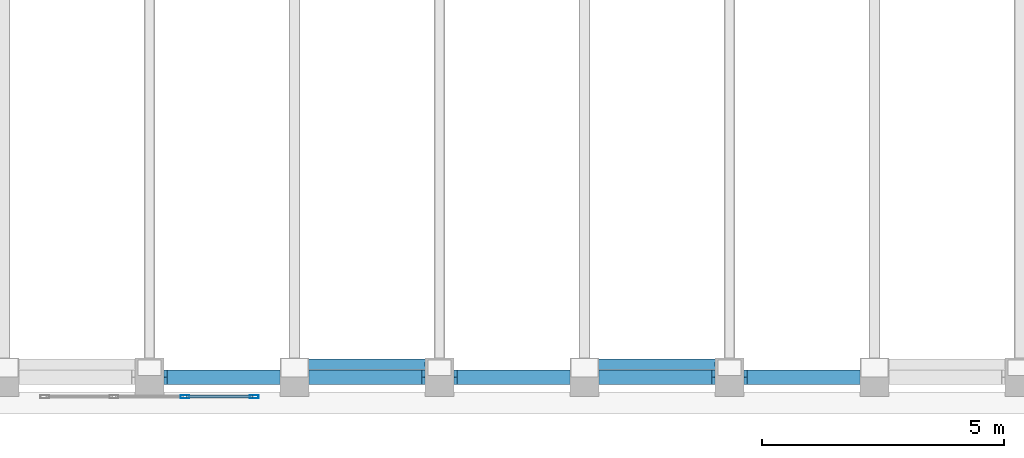
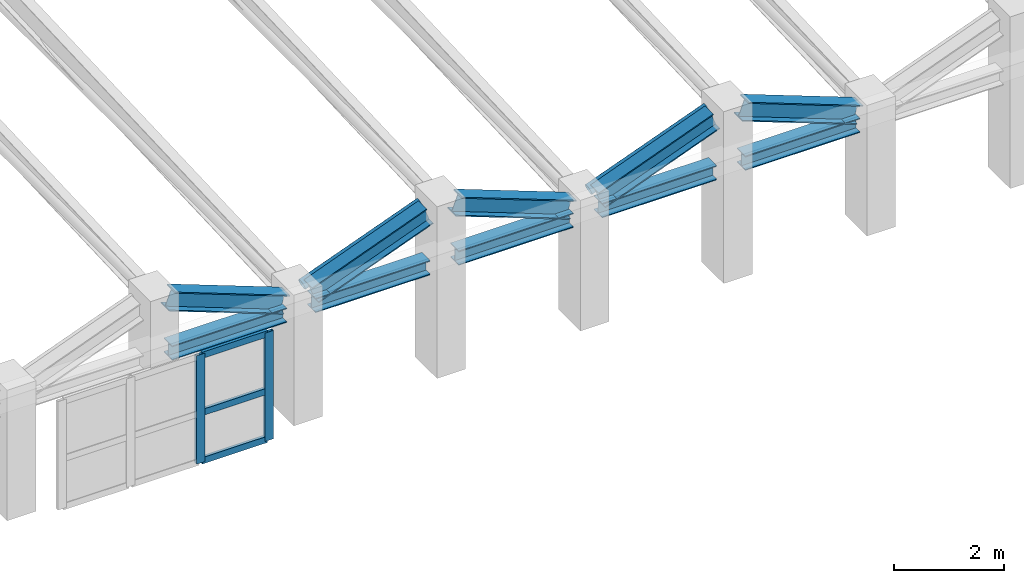
# One storey, part 25 of 128: 10 beams, 7 members, 1 element without a shape of its own.
"""IFC4 building model written with IfcOpenShell, lengths in metres."""

import ifcopenshell
import ifcopenshell.guid

model = None  # the IFC model being written
_history = None  # IfcOwnerHistory: only IFC2X3 demands one
_inside = {}  # id of a spatial element -> (the spatial element, [elements in it])
_under = {}  # id of a project, library or spatial element -> (it, [spatial elements below it])
_declared = {}  # id of a project -> (the project, [libraries it declares])
_typed = {}  # id of a type object -> (the type object, [elements of that type])
_made_of = {}  # id of a material, layer set ... -> (it, [elements and type objects made of it])


def new_model(schema):
    """Start an empty IFC model of exactly this schema.

    Asked for "IFC4X3", IfcOpenShell would pick the latest addendum, in which some entities
    have other attributes; the version numbers below select the first issue.
    IFC2X3 requires an IfcOwnerHistory on every rooted entity: one is made here for all.
    """
    global model, _history
    if schema == "IFC4X3":
        model = ifcopenshell.file(schema_version=(4, 3, 0, 0))
    else:
        model = ifcopenshell.file(schema=schema)
    _inside.clear()
    _under.clear()
    _declared.clear()
    _typed.clear()
    _made_of.clear()
    _history = None
    if model.schema == "IFC2X3":
        org = make("IfcOrganization", Name="unknown")
        user = make(
            "IfcPersonAndOrganization",
            ThePerson=make("IfcPerson", FamilyName="unknown"),
            TheOrganization=org,
        )
        app = make(
            "IfcApplication",
            ApplicationDeveloper=org,
            Version="unknown",
            ApplicationFullName="unknown",
            ApplicationIdentifier="unknown",
        )
        _history = make(
            "IfcOwnerHistory",
            OwningUser=user,
            OwningApplication=app,
            ChangeAction="ADDED",
            CreationDate=0,
        )
    return model


def make(cls, **values):
    """One entity of the class cls with the attributes given. An attribute that is None is left unset."""
    return model.create_entity(
        cls, **{name: value for name, value in values.items() if value is not None}
    )


def rooted(cls, **values):
    """An entity with a GlobalId (a new one), such as an element, a storey or a relation."""
    return make(cls, GlobalId=ifcopenshell.guid.new(), OwnerHistory=_history, **values)


def si_unit(unit_type, name, prefix=None):
    """IfcSIUnit, for example si_unit("LENGTHUNIT", "METRE", prefix="MILLI")."""
    return make("IfcSIUnit", UnitType=unit_type, Prefix=prefix, Name=name)


def assignment(units):
    """IfcUnitAssignment: the units of a project."""
    return None if units is None else make("IfcUnitAssignment", Units=units)


def point(xyz):
    """IfcCartesianPoint."""
    return None if xyz is None else make("IfcCartesianPoint", Coordinates=xyz)


def direction(xyz):
    """IfcDirection."""
    return None if xyz is None else make("IfcDirection", DirectionRatios=xyz)


def frame(location, z_axis=None, x_axis=None):
    """IfcAxis2Placement3D, a coordinate frame: its origin and axes. An axis left out is left unset."""
    return make(
        "IfcAxis2Placement3D",
        Location=point(location),
        Axis=direction(z_axis),
        RefDirection=direction(x_axis),
    )


def frame_2d(location, x_axis=None):
    """IfcAxis2Placement2D, a coordinate frame in the plane: its origin and x axis."""
    return make(
        "IfcAxis2Placement2D", Location=point(location), RefDirection=direction(x_axis)
    )


def origin():
    """The frame at (0, 0, 0) with its axes left unset."""
    return frame((0.0, 0.0, 0.0))


def origin_2d():
    """The frame at (0, 0) in the plane with its x axis left unset."""
    return frame_2d((0.0, 0.0))


def place(relative_to, where):
    """IfcLocalPlacement: puts the frame where relative to a parent placement (None: the world)."""
    return make(
        "IfcLocalPlacement", PlacementRelTo=relative_to, RelativePlacement=where
    )


def context(
    kind, dimensions, precision=None, world=None, true_north=None, identifier=None
):
    """IfcGeometricRepresentationContext, for example the 3D "Model" context."""
    return make(
        "IfcGeometricRepresentationContext",
        ContextIdentifier=identifier,
        ContextType=kind,
        CoordinateSpaceDimension=dimensions,
        Precision=precision,
        WorldCoordinateSystem=world,
        TrueNorth=true_north,
    )


def subcontext(parent, identifier, kind, view, scale=None):
    """IfcGeometricRepresentationSubContext, for example "Body" below "Model"."""
    return make(
        "IfcGeometricRepresentationSubContext",
        ContextIdentifier=identifier,
        ContextType=kind,
        ParentContext=parent,
        TargetScale=scale,
        TargetView=view,
    )


def project(units=None, contexts=None):
    """IfcProject with its units and contexts."""
    return rooted(
        "IfcProject",
        Name="project",
        RepresentationContexts=contexts,
        UnitsInContext=assignment(units),
    )


def spatial(cls, under=None, at=None, **own):
    """A site, building, storey or space (cls), placed at a placement, below another one or the project."""
    s = rooted(cls, ObjectPlacement=at, **own)
    if under is not None:
        _under.setdefault(under.id(), (under, []))[1].append(s)
    return s


def profile(cls, at=None, kind="AREA", **sizes):
    """A parametric profile (cls). Its sizes go by their IFC names, for example OverallWidth=200.0."""
    return make(cls, ProfileType=kind, Position=at, **sizes)


def hollow_rectangle(**sizes):
    """IfcRectangleHollowProfileDef."""
    return profile("IfcRectangleHollowProfileDef", **sizes)


def hollow_circle(**sizes):
    """IfcCircleHollowProfileDef."""
    return profile("IfcCircleHollowProfileDef", **sizes)


def i_section(**sizes):
    """IfcIShapeProfileDef."""
    return profile("IfcIShapeProfileDef", **sizes)


def extrude(swept, where, along, depth):
    """IfcExtrudedAreaSolid: the profile swept, set in the frame where, extruded along a direction by depth."""
    return make(
        "IfcExtrudedAreaSolid",
        SweptArea=swept,
        Position=where,
        ExtrudedDirection=direction(along),
        Depth=depth,
    )


def shape(context_of_items, identifier, shape_type, items):
    """IfcShapeRepresentation: the items that make up one representation, for example the "Body"."""
    return make(
        "IfcShapeRepresentation",
        ContextOfItems=context_of_items,
        RepresentationIdentifier=identifier,
        RepresentationType=shape_type,
        Items=items,
    )


def material(Name=None, Category=None):
    """IfcMaterial."""
    return make("IfcMaterial", Name=Name, Category=Category)


def layer(
    of_material, thickness, ventilated=None, Name=None, Category=None, Priority=None
):
    """IfcMaterialLayer: one layer of a wall or slab, of a material (None: an air gap)."""
    return make(
        "IfcMaterialLayer",
        Material=of_material,
        LayerThickness=thickness,
        IsVentilated=ventilated,
        Name=Name,
        Category=Category,
        Priority=Priority,
    )


def layer_set(layers, Name=None):
    """IfcMaterialLayerSet."""
    return make("IfcMaterialLayerSet", MaterialLayers=layers, LayerSetName=Name)


def material_profile(
    of_material, cross_section, Name=None, Category=None, Priority=None
):
    """IfcMaterialProfile: a cross section and its material."""
    return make(
        "IfcMaterialProfile",
        Name=Name,
        Material=of_material,
        Profile=cross_section,
        Priority=Priority,
        Category=Category,
    )


def profile_set(profiles, Name=None, composite=None):
    """IfcMaterialProfileSet."""
    return make(
        "IfcMaterialProfileSet",
        Name=Name,
        MaterialProfiles=profiles,
        CompositeProfile=composite,
    )


def made_of(thing, what):
    """Note that an element or type object is made of a material, layer set ...; save() writes the relation."""
    if what is not None:
        _made_of.setdefault(what.id(), (what, []))[1].append(thing)
    return thing


def type_object(cls, material=None, **own):
    """A type object (cls), such as IfcWallType, which elements share."""
    return made_of(rooted(cls, **own), material)


def element(
    cls,
    number,
    at=None,
    inside=None,
    cuts=None,
    type_object=None,
    material=None,
    context=None,
    identifier="Body",
    shape_type=None,
    held_by="IfcProductDefinitionShape",
    body=None,
    shapes=None,
    **own,
):
    """One element of the class cls, such as IfcWall. Its Tag is "e" and its number.

    at: its placement. inside: the storey or other place that contains it. cuts: it is an
    opening in that element (IfcRelVoidsElement). A single representation is given by context,
    identifier, shape_type and body (its items); several are given by shapes. held_by: the class
    of the entity that holds the representations. save() writes the other relations.
    """
    e = rooted(cls, Tag="e%d" % number, ObjectPlacement=at, **own)
    if body is not None:
        shapes = [shape(context, identifier, shape_type, body)]
    if shapes is not None:
        e.Representation = make(held_by, Representations=shapes)
    if inside is not None:
        _inside.setdefault(inside.id(), (inside, []))[1].append(e)
    if cuts is not None:
        rooted(
            "IfcRelVoidsElement", RelatingBuildingElement=cuts, RelatedOpeningElement=e
        )
    if type_object is not None:
        _typed.setdefault(type_object.id(), (type_object, []))[1].append(e)
    return made_of(e, material)


def aggregate(whole, parts):
    """IfcRelAggregates: a whole, such as a stair, and the parts it consists of."""
    return rooted("IfcRelAggregates", RelatingObject=whole, RelatedObjects=parts)


def save(model, path):
    """Write the relations noted so far, then the file.

    IfcRelAggregates (storeys below a building ...), IfcRelContainedInSpatialStructure (elements
    in a storey), IfcRelDefinesByType, IfcRelAssociatesMaterial and IfcRelDeclares: one each for
    every whole, place, type object, material and project.
    """
    for whole, parts in _under.values():
        aggregate(whole, parts)
    for where, things in _inside.values():
        rooted(
            "IfcRelContainedInSpatialStructure",
            RelatedElements=things,
            RelatingStructure=where,
        )
    for kind, things in _typed.values():
        rooted("IfcRelDefinesByType", RelatedObjects=things, RelatingType=kind)
    for what, things in _made_of.values():
        rooted("IfcRelAssociatesMaterial", RelatedObjects=things, RelatingMaterial=what)
    for by, libraries in _declared.values():
        rooted("IfcRelDeclares", RelatingContext=by, RelatedDefinitions=libraries)
    model.write(path)


model = new_model("IFC4")

# Units and contexts
model_context = context("Model", 3, precision=1e-05, world=origin(), true_north=direction((0.0, 1.0)))
body_context = subcontext(model_context, "Body", "Model", "MODEL_VIEW")
ifc_project = project(units=[si_unit("LENGTHUNIT", "METRE"), si_unit("AREAUNIT", "SQUARE_METRE"), si_unit("VOLUMEUNIT", "CUBIC_METRE"), si_unit("PLANEANGLEUNIT", "RADIAN"), si_unit("MASSUNIT", "GRAM", prefix="KILO")], contexts=[model_context])

# Site, building, storey
site_placement = place(None, origin())
site = spatial("IfcSite", under=ifc_project, at=site_placement, CompositionType="ELEMENT")
building_placement = place(site_placement, origin())
building = spatial("IfcBuilding", under=site, at=building_placement, Name="Keldmere Railside Commons", CompositionType="ELEMENT")
storey_placement = place(building_placement, frame((0.0, 0.0, 4.159912109375)))
storey = spatial("IfcBuildingStorey", under=building, at=storey_placement, Name="L01", CompositionType="ELEMENT", Elevation=4.159912109375)

# Curtain wall, members
ifc_material_1 = material(Name="Thermally Broken Aluminium", Category="aluminium")
ifc_layer = layer(ifc_material_1, 0.159912109375, Name="Community Hall Gable Clerestory CW 4400x2400")
ifc_layer_set = layer_set([ifc_layer], Name="Thermally Broken Aluminium")
curtain_wall_type = type_object("IfcCurtainWallType", Name="Community Hall Gable Clerestory CW 4400x2400", PredefinedType="NOTDEFINED", material=ifc_layer_set)
curtain_wall_placement = place(storey_placement, origin())
curtain_wall = element("IfcCurtainWall", 1, at=curtain_wall_placement, inside=storey, type_object=curtain_wall_type, Name="CW-07 CW-L01-212", PredefinedType="NOTDEFINED")
ifc_material_profile_1 = material_profile(ifc_material_1, hollow_rectangle(XDim=0.06494140625, YDim=0.179931640625, WallThickness=0.00390625, at=origin_2d()), Name="ALU-MULL-65x180")
ifc_profile_set_1 = profile_set([ifc_material_profile_1], Name="Thermally Broken Aluminium")
member_type_1 = type_object("IfcMemberType", Name="Civic Tall Curtain Wall Mullion 65x180", PredefinedType="MULLION", material=ifc_profile_set_1)
member_1_placement = place(storey_placement, frame((85.7333984375, 12.050048828125, -0.10986328125), z_axis=(0.0, 0.0, 1.0), x_axis=(0.0, 1.0, 0.0)))
member_1 = element("IfcMember", 2, at=member_1_placement, type_object=member_type_1, Name="CW-07 mullion 3", PredefinedType="MULLION", context=body_context, shape_type="SweptSolid", body=[
    extrude(hollow_rectangle(XDim=0.06494140625, YDim=0.179931640625, WallThickness=0.00390625, at=origin_2d()), origin(), (0.0, 0.0, 1.0), 2.39990234375),
])
member_2_placement = place(storey_placement, frame((87.16748046875, 12.050048828125, -0.10986328125), z_axis=(0.0, 0.0, 1.0), x_axis=(0.0, 1.0, 0.0)))
member_2 = element("IfcMember", 3, at=member_2_placement, type_object=member_type_1, Name="CW-07 mullion 4", PredefinedType="MULLION", context=body_context, shape_type="SweptSolid", body=[
    extrude(hollow_rectangle(XDim=0.06494140625, YDim=0.179931640625, WallThickness=0.00390625, at=origin_2d()), origin(), (0.0, 0.0, 1.0), 2.39990234375),
])
ifc_material_profile_2 = material_profile(ifc_material_1, hollow_rectangle(XDim=0.06494140625, YDim=0.139892578125, WallThickness=0.00390625, at=origin_2d()), Name="ALU-TRAN-65x140")
ifc_profile_set_2 = profile_set([ifc_material_profile_2], Name="Thermally Broken Aluminium")
member_type_2 = type_object("IfcMemberType", Name="Civic Tall Curtain Wall Transom 65x140", PredefinedType="USERDEFINED", material=ifc_profile_set_2)
member_3_placement = place(storey_placement, frame((85.765869140625, 12.050048828125, -0.077392578125), z_axis=(1.0, 0.0, 0.0), x_axis=(0.0, 1.0, 0.0)))
member_3 = element("IfcMember", 4, at=member_3_placement, type_object=member_type_2, Name="CW-07 transom 3.1", ObjectType="TRANSOM", PredefinedType="USERDEFINED", context=body_context, shape_type="SweptSolid", body=[
    extrude(hollow_rectangle(XDim=0.06494140625, YDim=0.139892578125, WallThickness=0.00390625, at=origin_2d()), origin(), (0.0, 0.0, 1.0), 1.369140625),
])
member_4_placement = place(storey_placement, frame((85.765869140625, 12.050048828125, 0.989990234375), z_axis=(1.0, 0.0, 0.0), x_axis=(0.0, 1.0, 0.0)))
member_4 = element("IfcMember", 5, at=member_4_placement, type_object=member_type_2, Name="CW-07 transom 3.2", ObjectType="TRANSOM", PredefinedType="USERDEFINED", context=body_context, shape_type="SweptSolid", body=[
    extrude(hollow_rectangle(XDim=0.06494140625, YDim=0.139892578125, WallThickness=0.00390625, at=origin_2d()), origin(), (0.0, 0.0, 1.0), 1.369140625),
])
member_5_placement = place(storey_placement, frame((85.765869140625, 12.050048828125, 2.257568359375), z_axis=(1.0, 0.0, 0.0), x_axis=(0.0, 1.0, 0.0)))
member_5 = element("IfcMember", 6, at=member_5_placement, type_object=member_type_2, Name="CW-07 transom 3.3", ObjectType="TRANSOM", PredefinedType="USERDEFINED", context=body_context, shape_type="SweptSolid", body=[
    extrude(hollow_rectangle(XDim=0.06494140625, YDim=0.139892578125, WallThickness=0.00390625, at=origin_2d()), origin(), (0.0, 0.0, 1.0), 1.369140625),
])
aggregate(curtain_wall, [member_1, member_2, member_3, member_4, member_5])

# Beams
ifc_material_2 = material(Name="Steel F-36 (S355)", Category="steel")
ifc_material_profile_3 = material_profile(ifc_material_2, i_section(OverallWidth=0.300048828125, OverallDepth=0.320068359375, WebThickness=0.011474609375, FlangeThickness=0.0205078125, at=origin_2d()), Name="HEB-320")
ifc_profile_set_3 = profile_set([ifc_material_profile_3], Name="Steel F-36 (S355)")
beam_type_1 = type_object("IfcBeamType", Name="Folded-Plate Eave Edge Beam HEB320", PredefinedType="BEAM", material=ifc_profile_set_3)
for number, where, z_axis, x_axis, name in (
    (7, (85.300048828125, 12.449951171875, 2.300048828125), (1.0, 0.0, 0.0), (0.0, 1.0, 0.0), "FPE-1 BM-L01-2608"),
    (8, (88.300048828125, 12.449951171875, 2.300048828125), (1.0, 0.0, 0.0), (0.0, 1.0, 0.0), "FPE-1 BM-L01-2619"),
    (9, (91.300048828125, 12.449951171875, 2.300048828125), (1.0, 0.0, 0.0), (0.0, 1.0, 0.0), "FPE-1 BM-L01-2620"),
    (10, (94.300048828125, 12.449951171875, 2.300048828125), (1.0, 0.0, 0.0), (0.0, 1.0, 0.0), "FPE-1 BM-L01-2631"),
    (11, (97.300048828125, 12.449951171875, 2.300048828125), (1.0, 0.0, 0.0), (0.0, 1.0, 0.0), "FPE-1 BM-L01-2632"),
):
    element("IfcBeam", number, at=place(storey_placement, frame(where, z_axis=z_axis, x_axis=x_axis)), inside=storey, type_object=beam_type_1, Name=name, PredefinedType="BEAM", context=body_context, shape_type="SweptSolid", body=[
        extrude(i_section(OverallWidth=0.300048828125, OverallDepth=0.320068359375, WebThickness=0.011474609375, FlangeThickness=0.0205078125, at=origin_2d()), origin(), (0.0, 0.0, 1.0), 2.39990234375),
    ])
ifc_material_profile_4 = material_profile(ifc_material_2, i_section(OverallWidth=0.300048828125, OverallDepth=0.39990234375, WebThickness=0.013427734375, FlangeThickness=0.02392578125, at=origin_2d()), Name="HEB-400")
ifc_profile_set_4 = profile_set([ifc_material_profile_4], Name="Steel F-36 (S355)")
beam_type_2 = type_object("IfcBeamType", Name="Folded-Plate End Diaphragm Girder HEB400", PredefinedType="BEAM", material=ifc_profile_set_4)
for number, where, z_axis, x_axis, name in (
    (12, (85.300048828125, 12.449951171875, 3.440185546875), (0.935017102345, 0.0, -0.354602620299), (0.0, 1.0, 0.0), "FPD-1 BM-L01-2614"),
    (13, (88.300048828125, 12.449951171875, 2.530029296875), (0.935017102345, 0.0, 0.354602620299), (0.0, 1.0, 0.0), "FPD-1 BM-L01-2625"),
    (14, (91.300048828125, 12.449951171875, 3.440185546875), (0.935017102345, 0.0, -0.354602620299), (0.0, 1.0, 0.0), "FPD-1 BM-L01-2626"),
    (15, (94.300048828125, 12.449951171875, 2.530029296875), (0.935017102345, 0.0, 0.354602620299), (0.0, 1.0, 0.0), "FPD-1 BM-L01-2637"),
    (16, (97.300048828125, 12.449951171875, 3.440185546875), (0.935017102345, 0.0, -0.354602620299), (0.0, 1.0, 0.0), "FPD-1 BM-L01-2638"),
):
    element("IfcBeam", number, at=place(storey_placement, frame(where, z_axis=z_axis, x_axis=x_axis)), inside=storey, type_object=beam_type_2, Name=name, PredefinedType="BEAM", context=body_context, shape_type="SweptSolid", body=[
        extrude(i_section(OverallWidth=0.300048828125, OverallDepth=0.39990234375, WebThickness=0.013427734375, FlangeThickness=0.02392578125, at=origin_2d()), origin(), (0.0, 0.0, 1.0), 2.566650390625),
    ])

# Members
ifc_material_profile_5 = material_profile(ifc_material_2, hollow_circle(Radius=0.109619140625, WallThickness=0.008056640625, at=origin_2d()), Name="CHS-219x8")
ifc_profile_set_5 = profile_set([ifc_material_profile_5], Name="Steel F-36 (S355)")
member_type_3 = type_object("IfcMemberType", Name="Hall Roof Lateral Diagonal Brace CHS219", PredefinedType="BRACE", material=ifc_profile_set_5)
for number, where, z_axis, x_axis, name in (
    (17, (88.260009765625, 12.719970703125, 2.530029296875), (0.9363064477, 0.0, 0.351184048606), (0.0, 1.0, 0.0), "BR-1 MEM-BR-015"),
    (18, (94.260009765625, 12.719970703125, 2.530029296875), (0.9363064477, 0.0, 0.351184048606), (0.0, 1.0, 0.0), "BR-1 MEM-BR-018"),
):
    element("IfcMember", number, at=place(storey_placement, frame(where, z_axis=z_axis, x_axis=x_axis)), inside=storey, type_object=member_type_3, Name=name, PredefinedType="BRACE", context=body_context, shape_type="SweptSolid", body=[
        extrude(hollow_circle(Radius=0.109619140625, WallThickness=0.008056640625, at=origin_2d()), origin(), (0.0, 0.0, 1.0), 2.648681640625),
    ])

save(model, "model.ifc")
